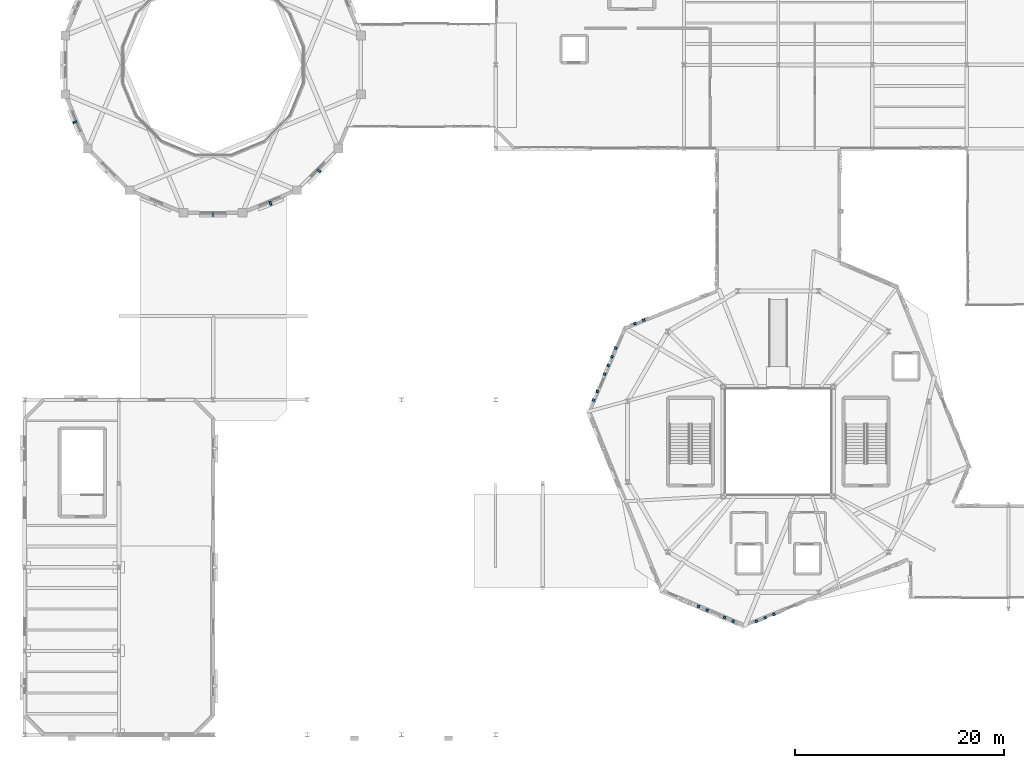
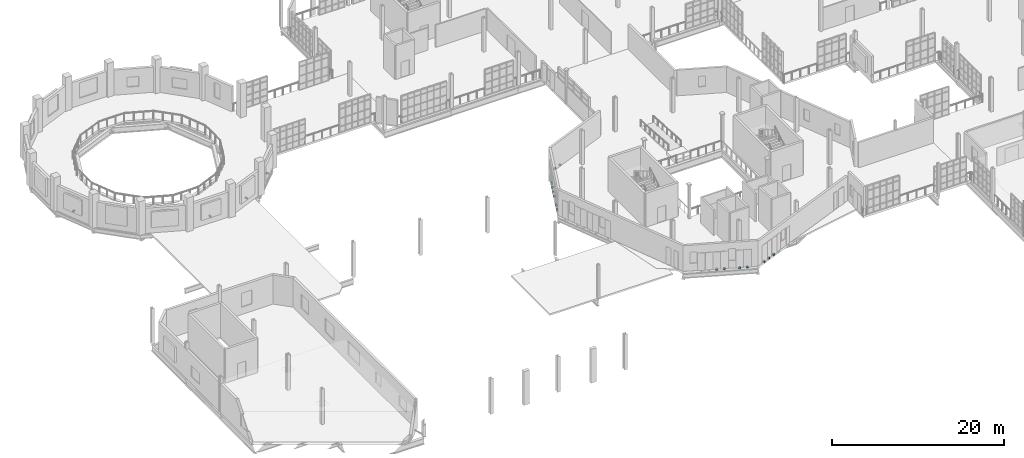
# One storey, part 106 of 122: 19 discrete accessories.
"""IFC4 building model written with IfcOpenShell, lengths in metres."""

import ifcopenshell
import ifcopenshell.guid

model = None  # the IFC model being written
_history = None  # IfcOwnerHistory: only IFC2X3 demands one
_inside = {}  # id of a spatial element -> (the spatial element, [elements in it])
_under = {}  # id of a project, library or spatial element -> (it, [spatial elements below it])
_declared = {}  # id of a project -> (the project, [libraries it declares])
_typed = {}  # id of a type object -> (the type object, [elements of that type])
_made_of = {}  # id of a material, layer set ... -> (it, [elements and type objects made of it])


def new_model(schema):
    """Start an empty IFC model of exactly this schema.

    Asked for "IFC4X3", IfcOpenShell would pick the latest addendum, in which some entities
    have other attributes; the version numbers below select the first issue.
    IFC2X3 requires an IfcOwnerHistory on every rooted entity: one is made here for all.
    """
    global model, _history
    if schema == "IFC4X3":
        model = ifcopenshell.file(schema_version=(4, 3, 0, 0))
    else:
        model = ifcopenshell.file(schema=schema)
    _inside.clear()
    _under.clear()
    _declared.clear()
    _typed.clear()
    _made_of.clear()
    _history = None
    if model.schema == "IFC2X3":
        org = make("IfcOrganization", Name="unknown")
        user = make(
            "IfcPersonAndOrganization",
            ThePerson=make("IfcPerson", FamilyName="unknown"),
            TheOrganization=org,
        )
        app = make(
            "IfcApplication",
            ApplicationDeveloper=org,
            Version="unknown",
            ApplicationFullName="unknown",
            ApplicationIdentifier="unknown",
        )
        _history = make(
            "IfcOwnerHistory",
            OwningUser=user,
            OwningApplication=app,
            ChangeAction="ADDED",
            CreationDate=0,
        )
    return model


def make(cls, **values):
    """One entity of the class cls with the attributes given. An attribute that is None is left unset."""
    return model.create_entity(
        cls, **{name: value for name, value in values.items() if value is not None}
    )


def rooted(cls, **values):
    """An entity with a GlobalId (a new one), such as an element, a storey or a relation."""
    return make(cls, GlobalId=ifcopenshell.guid.new(), OwnerHistory=_history, **values)


def si_unit(unit_type, name, prefix=None):
    """IfcSIUnit, for example si_unit("LENGTHUNIT", "METRE", prefix="MILLI")."""
    return make("IfcSIUnit", UnitType=unit_type, Prefix=prefix, Name=name)


def assignment(units):
    """IfcUnitAssignment: the units of a project."""
    return None if units is None else make("IfcUnitAssignment", Units=units)


def point(xyz):
    """IfcCartesianPoint."""
    return None if xyz is None else make("IfcCartesianPoint", Coordinates=xyz)


def direction(xyz):
    """IfcDirection."""
    return None if xyz is None else make("IfcDirection", DirectionRatios=xyz)


def frame(location, z_axis=None, x_axis=None):
    """IfcAxis2Placement3D, a coordinate frame: its origin and axes. An axis left out is left unset."""
    return make(
        "IfcAxis2Placement3D",
        Location=point(location),
        Axis=direction(z_axis),
        RefDirection=direction(x_axis),
    )


def origin():
    """The frame at (0, 0, 0) with its axes left unset."""
    return frame((0.0, 0.0, 0.0))


def place(relative_to, where):
    """IfcLocalPlacement: puts the frame where relative to a parent placement (None: the world)."""
    return make(
        "IfcLocalPlacement", PlacementRelTo=relative_to, RelativePlacement=where
    )


def context(
    kind, dimensions, precision=None, world=None, true_north=None, identifier=None
):
    """IfcGeometricRepresentationContext, for example the 3D "Model" context."""
    return make(
        "IfcGeometricRepresentationContext",
        ContextIdentifier=identifier,
        ContextType=kind,
        CoordinateSpaceDimension=dimensions,
        Precision=precision,
        WorldCoordinateSystem=world,
        TrueNorth=true_north,
    )


def subcontext(parent, identifier, kind, view, scale=None):
    """IfcGeometricRepresentationSubContext, for example "Body" below "Model"."""
    return make(
        "IfcGeometricRepresentationSubContext",
        ContextIdentifier=identifier,
        ContextType=kind,
        ParentContext=parent,
        TargetScale=scale,
        TargetView=view,
    )


def project(units=None, contexts=None):
    """IfcProject with its units and contexts."""
    return rooted(
        "IfcProject",
        Name="project",
        RepresentationContexts=contexts,
        UnitsInContext=assignment(units),
    )


def spatial(cls, under=None, at=None, **own):
    """A site, building, storey or space (cls), placed at a placement, below another one or the project."""
    s = rooted(cls, ObjectPlacement=at, **own)
    if under is not None:
        _under.setdefault(under.id(), (under, []))[1].append(s)
    return s


def polyline(points):
    """IfcPolyline through the points."""
    return make("IfcPolyline", Points=[point(p) for p in points])


def outline(outer, holes=None, kind="AREA"):
    """IfcArbitraryClosedProfileDef: a profile drawn as a closed curve; with holes, ...WithVoids."""
    if holes is None:
        return make("IfcArbitraryClosedProfileDef", ProfileType=kind, OuterCurve=outer)
    return make(
        "IfcArbitraryProfileDefWithVoids",
        ProfileType=kind,
        OuterCurve=outer,
        InnerCurves=holes,
    )


def extrude(swept, where, along, depth):
    """IfcExtrudedAreaSolid: the profile swept, set in the frame where, extruded along a direction by depth."""
    return make(
        "IfcExtrudedAreaSolid",
        SweptArea=swept,
        Position=where,
        ExtrudedDirection=direction(along),
        Depth=depth,
    )


def shape(context_of_items, identifier, shape_type, items):
    """IfcShapeRepresentation: the items that make up one representation, for example the "Body"."""
    return make(
        "IfcShapeRepresentation",
        ContextOfItems=context_of_items,
        RepresentationIdentifier=identifier,
        RepresentationType=shape_type,
        Items=items,
    )


def material(Name=None, Category=None):
    """IfcMaterial."""
    return make("IfcMaterial", Name=Name, Category=Category)


def made_of(thing, what):
    """Note that an element or type object is made of a material, layer set ...; save() writes the relation."""
    if what is not None:
        _made_of.setdefault(what.id(), (what, []))[1].append(thing)
    return thing


def type_object(cls, material=None, **own):
    """A type object (cls), such as IfcWallType, which elements share."""
    return made_of(rooted(cls, **own), material)


def element(
    cls,
    number,
    at=None,
    inside=None,
    cuts=None,
    type_object=None,
    material=None,
    context=None,
    identifier="Body",
    shape_type=None,
    held_by="IfcProductDefinitionShape",
    body=None,
    shapes=None,
    **own,
):
    """One element of the class cls, such as IfcWall. Its Tag is "e" and its number.

    at: its placement. inside: the storey or other place that contains it. cuts: it is an
    opening in that element (IfcRelVoidsElement). A single representation is given by context,
    identifier, shape_type and body (its items); several are given by shapes. held_by: the class
    of the entity that holds the representations. save() writes the other relations.
    """
    e = rooted(cls, Tag="e%d" % number, ObjectPlacement=at, **own)
    if body is not None:
        shapes = [shape(context, identifier, shape_type, body)]
    if shapes is not None:
        e.Representation = make(held_by, Representations=shapes)
    if inside is not None:
        _inside.setdefault(inside.id(), (inside, []))[1].append(e)
    if cuts is not None:
        rooted(
            "IfcRelVoidsElement", RelatingBuildingElement=cuts, RelatedOpeningElement=e
        )
    if type_object is not None:
        _typed.setdefault(type_object.id(), (type_object, []))[1].append(e)
    return made_of(e, material)


def aggregate(whole, parts):
    """IfcRelAggregates: a whole, such as a stair, and the parts it consists of."""
    return rooted("IfcRelAggregates", RelatingObject=whole, RelatedObjects=parts)


def save(model, path):
    """Write the relations noted so far, then the file.

    IfcRelAggregates (storeys below a building ...), IfcRelContainedInSpatialStructure (elements
    in a storey), IfcRelDefinesByType, IfcRelAssociatesMaterial and IfcRelDeclares: one each for
    every whole, place, type object, material and project.
    """
    for whole, parts in _under.values():
        aggregate(whole, parts)
    for where, things in _inside.values():
        rooted(
            "IfcRelContainedInSpatialStructure",
            RelatedElements=things,
            RelatingStructure=where,
        )
    for kind, things in _typed.values():
        rooted("IfcRelDefinesByType", RelatedObjects=things, RelatingType=kind)
    for what, things in _made_of.values():
        rooted("IfcRelAssociatesMaterial", RelatedObjects=things, RelatingMaterial=what)
    for by, libraries in _declared.values():
        rooted("IfcRelDeclares", RelatingContext=by, RelatedDefinitions=libraries)
    model.write(path)


model = new_model("IFC4")

# Units and contexts
model_context = context("Model", 3, precision=1e-05, world=origin(), true_north=direction((0.0, 1.0)))
body_context = subcontext(model_context, "Body", "Model", "MODEL_VIEW")
ifc_project = project(units=[si_unit("LENGTHUNIT", "METRE"), si_unit("AREAUNIT", "SQUARE_METRE"), si_unit("VOLUMEUNIT", "CUBIC_METRE"), si_unit("PLANEANGLEUNIT", "RADIAN"), si_unit("MASSUNIT", "GRAM", prefix="KILO"), si_unit("THERMODYNAMICTEMPERATUREUNIT", "KELVIN"), si_unit("POWERUNIT", "WATT")], contexts=[model_context])

# Site, building, storey
site_placement = place(None, origin())
site = spatial("IfcSite", under=ifc_project, at=site_placement, CompositionType="ELEMENT")
building_placement = place(site_placement, origin())
building = spatial("IfcBuilding", under=site, at=building_placement, Name="Zelmaris Science Centre", CompositionType="ELEMENT")
storey_placement = place(building_placement, frame((0.0, 0.0, 10.800048828125)))
storey = spatial("IfcBuildingStorey", under=building, at=storey_placement, Name="L02", CompositionType="ELEMENT", Elevation=10.800048828125)

# Discrete accessories
ifc_material = material(Name="Galvanised steel ASTM A500 Grade B", Category="steel")
discrete_accessory_type_1 = type_object("IfcDiscreteAccessoryType", Name="Facade Bracket BK-01", PredefinedType="BRACKET", material=ifc_material)
discrete_accessory_1_placement = place(storey_placement, frame((0.0, 0.0, -0.14013671875)))
element("IfcDiscreteAccessory", 1, at=discrete_accessory_1_placement, inside=storey, type_object=discrete_accessory_type_1, Name="L02 Facade anchorage bracket 63", PredefinedType="BRACKET", context=body_context, shape_type="SweptSolid", body=[
    extrude(outline(polyline([(80.6513671875, 19.657470703125), (80.428955078125, 19.567626953125), (80.515380859375, 19.352783203125), (80.738037109375, 19.442626953125), (80.6513671875, 19.657470703125)])), origin(), (0.0, 0.0, 1.0), 0.239990234375),
])
discrete_accessory_2_placement = place(storey_placement, frame((0.0, 0.0, -0.14013671875)))
element("IfcDiscreteAccessory", 2, at=discrete_accessory_2_placement, inside=storey, type_object=discrete_accessory_type_1, Name="L02 Facade anchorage bracket 64", PredefinedType="BRACKET", context=body_context, shape_type="SweptSolid", body=[
    extrude(outline(polyline([(79.81689453125, 19.32080078125), (79.59423828125, 19.23095703125), (79.680908203125, 19.01611328125), (79.9033203125, 19.10595703125), (79.81689453125, 19.32080078125)])), origin(), (0.0, 0.0, 1.0), 0.239990234375),
])
discrete_accessory_3_placement = place(storey_placement, frame((0.0, 0.0, -0.14013671875)))
element("IfcDiscreteAccessory", 3, at=discrete_accessory_3_placement, inside=storey, type_object=discrete_accessory_type_1, Name="L02 Facade anchorage bracket 65", PredefinedType="BRACKET", context=body_context, shape_type="SweptSolid", body=[
    extrude(outline(polyline([(78.982177734375, 18.984130859375), (78.759521484375, 18.894287109375), (78.84619140625, 18.6796875), (79.068603515625, 18.769287109375), (78.982177734375, 18.984130859375)])), origin(), (0.0, 0.0, 1.0), 0.239990234375),
])
discrete_accessory_4_placement = place(storey_placement, frame((0.0, 0.0, -0.14013671875)))
element("IfcDiscreteAccessory", 4, at=discrete_accessory_4_placement, inside=storey, type_object=discrete_accessory_type_1, Name="L02 Facade anchorage bracket 66", PredefinedType="BRACKET", context=body_context, shape_type="SweptSolid", body=[
    extrude(outline(polyline([(76.8466796875, 18.90869140625), (76.62548828125, 19.00244140625), (76.53515625, 18.789306640625), (76.756103515625, 18.695556640625), (76.8466796875, 18.90869140625)])), origin(), (0.0, 0.0, 1.0), 0.239990234375),
])
discrete_accessory_5_placement = place(storey_placement, frame((0.0, 0.0, -0.14013671875)))
element("IfcDiscreteAccessory", 5, at=discrete_accessory_5_placement, inside=storey, type_object=discrete_accessory_type_1, Name="L02 Facade anchorage bracket 67", PredefinedType="BRACKET", context=body_context, shape_type="SweptSolid", body=[
    extrude(outline(polyline([(76.01806640625, 19.26025390625), (75.797119140625, 19.35400390625), (75.706787109375, 19.140869140625), (75.927490234375, 19.047119140625), (76.01806640625, 19.26025390625)])), origin(), (0.0, 0.0, 1.0), 0.239990234375),
])
discrete_accessory_6_placement = place(storey_placement, frame((0.0, 0.0, -0.14013671875)))
element("IfcDiscreteAccessory", 6, at=discrete_accessory_6_placement, inside=storey, type_object=discrete_accessory_type_1, Name="L02 Facade anchorage bracket 68", PredefinedType="BRACKET", context=body_context, shape_type="SweptSolid", body=[
    extrude(outline(polyline([(74.361083984375, 19.963623046875), (74.140380859375, 20.057373046875), (74.0498046875, 19.84423828125), (74.270751953125, 19.75048828125), (74.361083984375, 19.963623046875)])), origin(), (0.0, 0.0, 1.0), 0.239990234375),
])
discrete_accessory_7_placement = place(storey_placement, frame((0.0, 0.0, -0.14013671875)))
element("IfcDiscreteAccessory", 7, at=discrete_accessory_7_placement, inside=storey, type_object=discrete_accessory_type_1, Name="L02 Facade anchorage bracket 69", PredefinedType="BRACKET", context=body_context, shape_type="SweptSolid", body=[
    extrude(outline(polyline([(73.53271484375, 20.315185546875), (73.311767578125, 20.4091796875), (73.22119140625, 20.19580078125), (73.442138671875, 20.10205078125), (73.53271484375, 20.315185546875)])), origin(), (0.0, 0.0, 1.0), 0.239990234375),
])
discrete_accessory_8_placement = place(storey_placement, frame((0.0, 0.0, -0.14013671875)))
element("IfcDiscreteAccessory", 8, at=discrete_accessory_8_placement, inside=storey, type_object=discrete_accessory_type_1, Name="L02 Facade anchorage bracket 80", PredefinedType="BRACKET", context=body_context, shape_type="SweptSolid", body=[
    extrude(outline(polyline([(63.412109375, 39.815185546875), (63.505859375, 40.036376953125), (63.292724609375, 40.126708984375), (63.198974609375, 39.90576171875), (63.412109375, 39.815185546875)])), origin(), (0.0, 0.0, 1.0), 0.239990234375),
])
discrete_accessory_9_placement = place(storey_placement, frame((0.0, 0.0, -0.14013671875)))
element("IfcDiscreteAccessory", 9, at=discrete_accessory_9_placement, inside=storey, type_object=discrete_accessory_type_1, Name="L02 Facade anchorage bracket 81", PredefinedType="BRACKET", context=body_context, shape_type="SweptSolid", body=[
    extrude(outline(polyline([(63.763916015625, 40.643798828125), (63.857421875, 40.86474609375), (63.644287109375, 40.955078125), (63.550537109375, 40.734375), (63.763916015625, 40.643798828125)])), origin(), (0.0, 0.0, 1.0), 0.239990234375),
])
discrete_accessory_10_placement = place(storey_placement, frame((0.0, 0.0, -0.14013671875)))
element("IfcDiscreteAccessory", 10, at=discrete_accessory_10_placement, inside=storey, type_object=discrete_accessory_type_1, Name="L02 Facade anchorage bracket 82", PredefinedType="BRACKET", context=body_context, shape_type="SweptSolid", body=[
    extrude(outline(polyline([(64.467041015625, 42.30078125), (64.560791015625, 42.521484375), (64.34765625, 42.612060546875), (64.25390625, 42.39111328125), (64.467041015625, 42.30078125)])), origin(), (0.0, 0.0, 1.0), 0.239990234375),
])
discrete_accessory_11_placement = place(storey_placement, frame((0.0, 0.0, -0.14013671875)))
element("IfcDiscreteAccessory", 11, at=discrete_accessory_11_placement, inside=storey, type_object=discrete_accessory_type_1, Name="L02 Facade anchorage bracket 83", PredefinedType="BRACKET", context=body_context, shape_type="SweptSolid", body=[
    extrude(outline(polyline([(64.81884765625, 43.129150390625), (64.91259765625, 43.35009765625), (64.69921875, 43.440673828125), (64.605712890625, 43.2197265625), (64.81884765625, 43.129150390625)])), origin(), (0.0, 0.0, 1.0), 0.239990234375),
])
discrete_accessory_12_placement = place(storey_placement, frame((0.0, 0.0, -0.14013671875)))
element("IfcDiscreteAccessory", 12, at=discrete_accessory_12_placement, inside=storey, type_object=discrete_accessory_type_1, Name="L02 Facade anchorage bracket 84", PredefinedType="BRACKET", context=body_context, shape_type="SweptSolid", body=[
    extrude(outline(polyline([(65.17041015625, 43.95751953125), (65.26416015625, 44.178466796875), (65.051025390625, 44.26904296875), (64.957275390625, 44.048095703125), (65.17041015625, 43.95751953125)])), origin(), (0.0, 0.0, 1.0), 0.239990234375),
])
discrete_accessory_13_placement = place(storey_placement, frame((0.0, 0.0, -0.14013671875)))
element("IfcDiscreteAccessory", 13, at=discrete_accessory_13_placement, inside=storey, type_object=discrete_accessory_type_1, Name="L02 Facade anchorage bracket 85", PredefinedType="BRACKET", context=body_context, shape_type="SweptSolid", body=[
    extrude(outline(polyline([(65.522216796875, 44.7861328125), (65.61572265625, 45.007080078125), (65.402587890625, 45.097412109375), (65.308837890625, 44.876708984375), (65.522216796875, 44.7861328125)])), origin(), (0.0, 0.0, 1.0), 0.239990234375),
])
discrete_accessory_14_placement = place(storey_placement, frame((0.0, 0.0, -0.14013671875)))
element("IfcDiscreteAccessory", 14, at=discrete_accessory_14_placement, inside=storey, type_object=discrete_accessory_type_1, Name="L02 Facade anchorage bracket 86", PredefinedType="BRACKET", context=body_context, shape_type="SweptSolid", body=[
    extrude(outline(polyline([(67.23388671875, 47.135009765625), (67.456298828125, 47.225341796875), (67.369140625, 47.43994140625), (67.146728515625, 47.349609375), (67.23388671875, 47.135009765625)])), origin(), (0.0, 0.0, 1.0), 0.239990234375),
])
discrete_accessory_15_placement = place(storey_placement, frame((0.0, 0.0, -0.14013671875)))
element("IfcDiscreteAccessory", 15, at=discrete_accessory_15_placement, inside=storey, type_object=discrete_accessory_type_1, Name="L02 Facade anchorage bracket 87", PredefinedType="BRACKET", context=body_context, shape_type="SweptSolid", body=[
    extrude(outline(polyline([(68.06787109375, 47.473388671875), (68.290283203125, 47.563720703125), (68.203125, 47.7783203125), (67.980712890625, 47.68798828125), (68.06787109375, 47.473388671875)])), origin(), (0.0, 0.0, 1.0), 0.239990234375),
])
discrete_accessory_type_2 = type_object("IfcDiscreteAccessoryType", Name="Facade Bracket BK-02", PredefinedType="BRACKET", material=ifc_material)
discrete_accessory_16_placement = place(storey_placement, frame((0.0, 0.0, 0.919921875)))
element("IfcDiscreteAccessory", 16, at=discrete_accessory_16_placement, inside=storey, type_object=discrete_accessory_type_2, Name="L02 Louvre support bracket 23", PredefinedType="BRACKET", context=body_context, shape_type="SweptSolid", body=[
    extrude(outline(polyline([(37.057373046875, 62.083984375), (36.916015625, 61.942626953125), (37.177490234375, 61.680908203125), (37.319091796875, 61.822509765625), (37.057373046875, 62.083984375)])), origin(), (0.0, 0.0, 1.0), 0.179931640625),
])
discrete_accessory_17_placement = place(storey_placement, frame((0.0, 0.0, 0.919921875)))
element("IfcDiscreteAccessory", 17, at=discrete_accessory_17_placement, inside=storey, type_object=discrete_accessory_type_2, Name="L02 Louvre support bracket 24", PredefinedType="BRACKET", context=body_context, shape_type="SweptSolid", body=[
    extrude(outline(polyline([(32.4970703125, 58.989990234375), (32.312255859375, 58.91357421875), (32.457763671875, 58.5625), (32.642578125, 58.638916015625), (32.4970703125, 58.989990234375)])), origin(), (0.0, 0.0, 1.0), 0.179931640625),
])
discrete_accessory_18_placement = place(storey_placement, frame((0.0, 0.0, 0.919921875)))
element("IfcDiscreteAccessory", 18, at=discrete_accessory_18_placement, inside=storey, type_object=discrete_accessory_type_2, Name="L02 Louvre support bracket 25", PredefinedType="BRACKET", context=body_context, shape_type="SweptSolid", body=[
    extrude(outline(polyline([(27.10009765625, 57.876708984375), (26.89990234375, 57.876708984375), (26.89990234375, 57.516845703125), (27.10009765625, 57.516845703125), (27.10009765625, 57.876708984375)])), origin(), (0.0, 0.0, 1.0), 0.179931640625),
])
discrete_accessory_19_placement = place(storey_placement, frame((0.0, 0.0, 0.919921875)))
element("IfcDiscreteAccessory", 19, at=discrete_accessory_19_placement, inside=storey, type_object=discrete_accessory_type_2, Name="L02 Louvre support bracket 28", PredefinedType="BRACKET", context=body_context, shape_type="SweptSolid", body=[
    extrude(outline(polyline([(13.989990234375, 66.5029296875), (13.91357421875, 66.687744140625), (13.580810546875, 66.5498046875), (13.657470703125, 66.365234375), (13.989990234375, 66.5029296875)])), origin(), (0.0, 0.0, 1.0), 0.179931640625),
])

save(model, "model.ifc")
